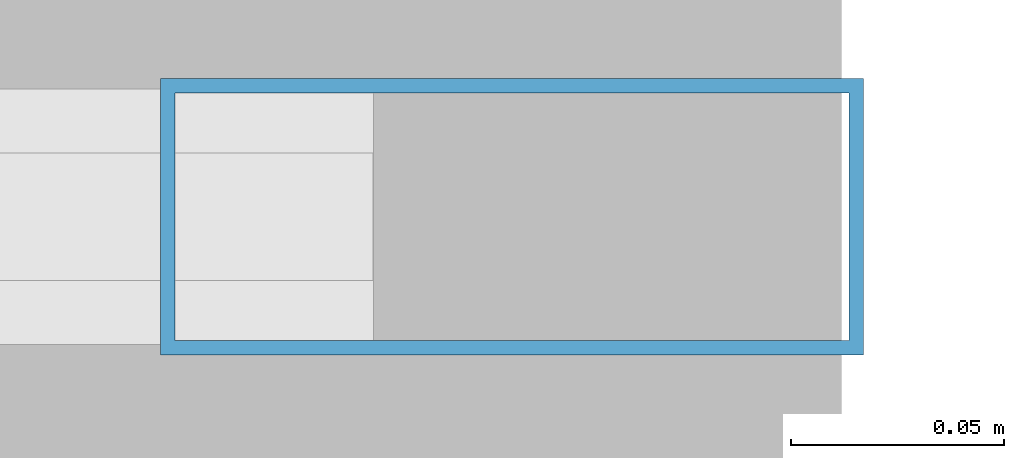
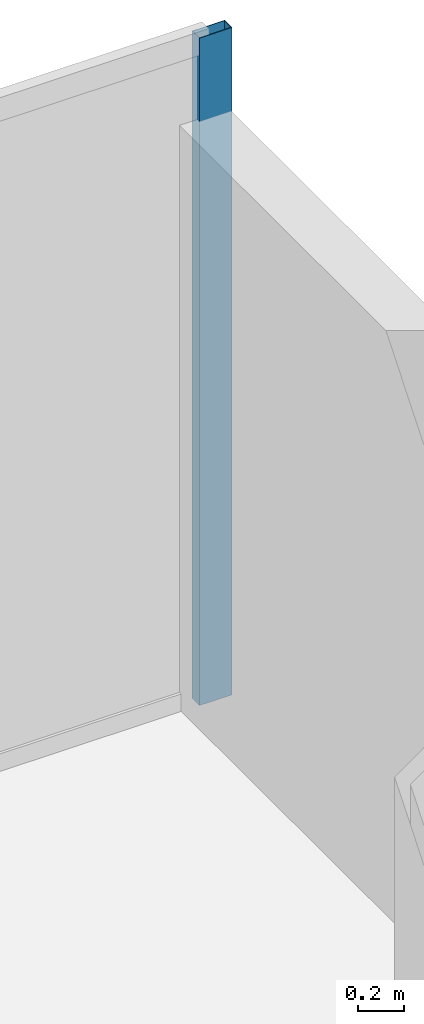
# One storey, part 24 of 32: 1 member, 1 element without a shape of its own.
"""IFC4 building model written with IfcOpenShell, lengths in metres."""

import ifcopenshell
import ifcopenshell.guid

model = None  # the IFC model being written
_history = None  # IfcOwnerHistory: only IFC2X3 demands one
_inside = {}  # id of a spatial element -> (the spatial element, [elements in it])
_under = {}  # id of a project, library or spatial element -> (it, [spatial elements below it])
_declared = {}  # id of a project -> (the project, [libraries it declares])
_typed = {}  # id of a type object -> (the type object, [elements of that type])
_made_of = {}  # id of a material, layer set ... -> (it, [elements and type objects made of it])


def new_model(schema):
    """Start an empty IFC model of exactly this schema.

    Asked for "IFC4X3", IfcOpenShell would pick the latest addendum, in which some entities
    have other attributes; the version numbers below select the first issue.
    IFC2X3 requires an IfcOwnerHistory on every rooted entity: one is made here for all.
    """
    global model, _history
    if schema == "IFC4X3":
        model = ifcopenshell.file(schema_version=(4, 3, 0, 0))
    else:
        model = ifcopenshell.file(schema=schema)
    _inside.clear()
    _under.clear()
    _declared.clear()
    _typed.clear()
    _made_of.clear()
    _history = None
    if model.schema == "IFC2X3":
        org = make("IfcOrganization", Name="unknown")
        user = make(
            "IfcPersonAndOrganization",
            ThePerson=make("IfcPerson", FamilyName="unknown"),
            TheOrganization=org,
        )
        app = make(
            "IfcApplication",
            ApplicationDeveloper=org,
            Version="unknown",
            ApplicationFullName="unknown",
            ApplicationIdentifier="unknown",
        )
        _history = make(
            "IfcOwnerHistory",
            OwningUser=user,
            OwningApplication=app,
            ChangeAction="ADDED",
            CreationDate=0,
        )
    return model


def make(cls, **values):
    """One entity of the class cls with the attributes given. An attribute that is None is left unset."""
    return model.create_entity(
        cls, **{name: value for name, value in values.items() if value is not None}
    )


def rooted(cls, **values):
    """An entity with a GlobalId (a new one), such as an element, a storey or a relation."""
    return make(cls, GlobalId=ifcopenshell.guid.new(), OwnerHistory=_history, **values)


def si_unit(unit_type, name, prefix=None):
    """IfcSIUnit, for example si_unit("LENGTHUNIT", "METRE", prefix="MILLI")."""
    return make("IfcSIUnit", UnitType=unit_type, Prefix=prefix, Name=name)


def assignment(units):
    """IfcUnitAssignment: the units of a project."""
    return None if units is None else make("IfcUnitAssignment", Units=units)


def point(xyz):
    """IfcCartesianPoint."""
    return None if xyz is None else make("IfcCartesianPoint", Coordinates=xyz)


def direction(xyz):
    """IfcDirection."""
    return None if xyz is None else make("IfcDirection", DirectionRatios=xyz)


def frame(location, z_axis=None, x_axis=None):
    """IfcAxis2Placement3D, a coordinate frame: its origin and axes. An axis left out is left unset."""
    return make(
        "IfcAxis2Placement3D",
        Location=point(location),
        Axis=direction(z_axis),
        RefDirection=direction(x_axis),
    )


def frame_2d(location, x_axis=None):
    """IfcAxis2Placement2D, a coordinate frame in the plane: its origin and x axis."""
    return make(
        "IfcAxis2Placement2D", Location=point(location), RefDirection=direction(x_axis)
    )


def origin():
    """The frame at (0, 0, 0) with its axes left unset."""
    return frame((0.0, 0.0, 0.0))


def origin_2d():
    """The frame at (0, 0) in the plane with its x axis left unset."""
    return frame_2d((0.0, 0.0))


def place(relative_to, where):
    """IfcLocalPlacement: puts the frame where relative to a parent placement (None: the world)."""
    return make(
        "IfcLocalPlacement", PlacementRelTo=relative_to, RelativePlacement=where
    )


def context(
    kind, dimensions, precision=None, world=None, true_north=None, identifier=None
):
    """IfcGeometricRepresentationContext, for example the 3D "Model" context."""
    return make(
        "IfcGeometricRepresentationContext",
        ContextIdentifier=identifier,
        ContextType=kind,
        CoordinateSpaceDimension=dimensions,
        Precision=precision,
        WorldCoordinateSystem=world,
        TrueNorth=true_north,
    )


def subcontext(parent, identifier, kind, view, scale=None):
    """IfcGeometricRepresentationSubContext, for example "Body" below "Model"."""
    return make(
        "IfcGeometricRepresentationSubContext",
        ContextIdentifier=identifier,
        ContextType=kind,
        ParentContext=parent,
        TargetScale=scale,
        TargetView=view,
    )


def project(units=None, contexts=None):
    """IfcProject with its units and contexts."""
    return rooted(
        "IfcProject",
        Name="project",
        RepresentationContexts=contexts,
        UnitsInContext=assignment(units),
    )


def spatial(cls, under=None, at=None, **own):
    """A site, building, storey or space (cls), placed at a placement, below another one or the project."""
    s = rooted(cls, ObjectPlacement=at, **own)
    if under is not None:
        _under.setdefault(under.id(), (under, []))[1].append(s)
    return s


def profile(cls, at=None, kind="AREA", **sizes):
    """A parametric profile (cls). Its sizes go by their IFC names, for example OverallWidth=200.0."""
    return make(cls, ProfileType=kind, Position=at, **sizes)


def hollow_rectangle(**sizes):
    """IfcRectangleHollowProfileDef."""
    return profile("IfcRectangleHollowProfileDef", **sizes)


def extrude(swept, where, along, depth):
    """IfcExtrudedAreaSolid: the profile swept, set in the frame where, extruded along a direction by depth."""
    return make(
        "IfcExtrudedAreaSolid",
        SweptArea=swept,
        Position=where,
        ExtrudedDirection=direction(along),
        Depth=depth,
    )


def shape(context_of_items, identifier, shape_type, items):
    """IfcShapeRepresentation: the items that make up one representation, for example the "Body"."""
    return make(
        "IfcShapeRepresentation",
        ContextOfItems=context_of_items,
        RepresentationIdentifier=identifier,
        RepresentationType=shape_type,
        Items=items,
    )


def source(mapping_origin, context_of_items, identifier, shape_type, items):
    """IfcRepresentationMap: a shape defined once, which mapped items show again and again."""
    return make(
        "IfcRepresentationMap",
        MappingOrigin=mapping_origin,
        MappedRepresentation=shape(context_of_items, identifier, shape_type, items),
    )


def transform(
    local_origin,
    x_axis=None,
    y_axis=None,
    z_axis=None,
    scale=None,
    scale2=None,
    scale3=None,
    uniform=True,
):
    """IfcCartesianTransformationOperator3D, or its non-uniform kind. x_axis, y_axis, z_axis: its Axis1, 2, 3."""
    if uniform:
        return make(
            "IfcCartesianTransformationOperator3D",
            Axis1=direction(x_axis),
            Axis2=direction(y_axis),
            LocalOrigin=point(local_origin),
            Scale=scale,
            Axis3=direction(z_axis),
        )
    return make(
        "IfcCartesianTransformationOperator3DnonUniform",
        Axis1=direction(x_axis),
        Axis2=direction(y_axis),
        LocalOrigin=point(local_origin),
        Scale=scale,
        Axis3=direction(z_axis),
        Scale2=scale2,
        Scale3=scale3,
    )


def mapped(mapping_source, mapping_target):
    """IfcMappedItem: shows the shape of a source again, moved by a transform."""
    return make(
        "IfcMappedItem", MappingSource=mapping_source, MappingTarget=mapping_target
    )


def material(Name=None, Category=None):
    """IfcMaterial."""
    return make("IfcMaterial", Name=Name, Category=Category)


def layer(
    of_material, thickness, ventilated=None, Name=None, Category=None, Priority=None
):
    """IfcMaterialLayer: one layer of a wall or slab, of a material (None: an air gap)."""
    return make(
        "IfcMaterialLayer",
        Material=of_material,
        LayerThickness=thickness,
        IsVentilated=ventilated,
        Name=Name,
        Category=Category,
        Priority=Priority,
    )


def layer_set(layers, Name=None):
    """IfcMaterialLayerSet."""
    return make("IfcMaterialLayerSet", MaterialLayers=layers, LayerSetName=Name)


def material_profile(
    of_material, cross_section, Name=None, Category=None, Priority=None
):
    """IfcMaterialProfile: a cross section and its material."""
    return make(
        "IfcMaterialProfile",
        Name=Name,
        Material=of_material,
        Profile=cross_section,
        Priority=Priority,
        Category=Category,
    )


def profile_set(profiles, Name=None, composite=None):
    """IfcMaterialProfileSet."""
    return make(
        "IfcMaterialProfileSet",
        Name=Name,
        MaterialProfiles=profiles,
        CompositeProfile=composite,
    )


def made_of(thing, what):
    """Note that an element or type object is made of a material, layer set ...; save() writes the relation."""
    if what is not None:
        _made_of.setdefault(what.id(), (what, []))[1].append(thing)
    return thing


def type_object(cls, material=None, **own):
    """A type object (cls), such as IfcWallType, which elements share."""
    return made_of(rooted(cls, **own), material)


def type_shapes(of_type, sources):
    """Give a type object the sources (RepresentationMaps) that its elements show as mapped items."""
    of_type.RepresentationMaps = sources


def element(
    cls,
    number,
    at=None,
    inside=None,
    cuts=None,
    type_object=None,
    material=None,
    context=None,
    identifier="Body",
    shape_type=None,
    held_by="IfcProductDefinitionShape",
    body=None,
    shapes=None,
    **own,
):
    """One element of the class cls, such as IfcWall. Its Tag is "e" and its number.

    at: its placement. inside: the storey or other place that contains it. cuts: it is an
    opening in that element (IfcRelVoidsElement). A single representation is given by context,
    identifier, shape_type and body (its items); several are given by shapes. held_by: the class
    of the entity that holds the representations. save() writes the other relations.
    """
    e = rooted(cls, Tag="e%d" % number, ObjectPlacement=at, **own)
    if body is not None:
        shapes = [shape(context, identifier, shape_type, body)]
    if shapes is not None:
        e.Representation = make(held_by, Representations=shapes)
    if inside is not None:
        _inside.setdefault(inside.id(), (inside, []))[1].append(e)
    if cuts is not None:
        rooted(
            "IfcRelVoidsElement", RelatingBuildingElement=cuts, RelatedOpeningElement=e
        )
    if type_object is not None:
        _typed.setdefault(type_object.id(), (type_object, []))[1].append(e)
    return made_of(e, material)


def aggregate(whole, parts):
    """IfcRelAggregates: a whole, such as a stair, and the parts it consists of."""
    return rooted("IfcRelAggregates", RelatingObject=whole, RelatedObjects=parts)


def save(model, path):
    """Write the relations noted so far, then the file.

    IfcRelAggregates (storeys below a building ...), IfcRelContainedInSpatialStructure (elements
    in a storey), IfcRelDefinesByType, IfcRelAssociatesMaterial and IfcRelDeclares: one each for
    every whole, place, type object, material and project.
    """
    for whole, parts in _under.values():
        aggregate(whole, parts)
    for where, things in _inside.values():
        rooted(
            "IfcRelContainedInSpatialStructure",
            RelatedElements=things,
            RelatingStructure=where,
        )
    for kind, things in _typed.values():
        rooted("IfcRelDefinesByType", RelatedObjects=things, RelatingType=kind)
    for what, things in _made_of.values():
        rooted("IfcRelAssociatesMaterial", RelatedObjects=things, RelatingMaterial=what)
    for by, libraries in _declared.values():
        rooted("IfcRelDeclares", RelatingContext=by, RelatedDefinitions=libraries)
    model.write(path)


model = new_model("IFC4")

# Units and contexts
model_context = context("Model", 3, precision=1e-05, world=origin(), true_north=direction((0.0, 1.0)))
body_context = subcontext(model_context, "Body", "Model", "MODEL_VIEW")
ifc_project = project(units=[si_unit("LENGTHUNIT", "METRE"), si_unit("AREAUNIT", "SQUARE_METRE"), si_unit("VOLUMEUNIT", "CUBIC_METRE"), si_unit("PLANEANGLEUNIT", "RADIAN"), si_unit("MASSUNIT", "GRAM", prefix="KILO")], contexts=[model_context])

# Site, building, storey
site_placement = place(None, origin())
site = spatial("IfcSite", under=ifc_project, at=site_placement, CompositionType="ELEMENT")
building_placement = place(site_placement, origin())
building = spatial("IfcBuilding", under=site, at=building_placement, Name="Varnel Quay Broadcast Tower", CompositionType="ELEMENT")
storey_placement = place(building_placement, frame((0.0, 0.0, 164.800048828125)))
storey = spatial("IfcBuildingStorey", under=building, at=storey_placement, Name="L40", CompositionType="ELEMENT", Elevation=164.800048828125)

# Curtain wall, member
ifc_material = material(Name="Anodised Bronze Aluminium 6063-T6", Category="aluminium")
ifc_layer = layer(ifc_material, 0.18994140625, Name="Anodised Bronze Aluminium 6063-T6")
ifc_layer_set = layer_set([ifc_layer], Name="Anodised Bronze Aluminium 6063-T6")
curtain_wall_type = type_object("IfcCurtainWallType", Name="CW_UpperTower", PredefinedType="NOTDEFINED", material=ifc_layer_set)
curtain_wall_placement = place(storey_placement, origin())
curtain_wall = element("IfcCurtainWall", 1, at=curtain_wall_placement, inside=storey, type_object=curtain_wall_type, Name="L40 NE Wing Curtain Wall", PredefinedType="NOTDEFINED")
ifc_material_profile = material_profile(ifc_material, hollow_rectangle(XDim=0.06494140625, YDim=0.1650390625, WallThickness=0.00341796875, at=origin_2d()), Name="ALU65X165X3.5")
ifc_profile_set = profile_set([ifc_material_profile], Name="Anodised Bronze Aluminium 6063-T6")
member_type = type_object("IfcMemberType", Name="Mull_CWS-03", PredefinedType="MULLION", material=ifc_profile_set)
shared_shape = source(origin(), body_context, "Body", "SweptSolid", [
    extrude(hollow_rectangle(XDim=0.06494140625, YDim=0.1650390625, WallThickness=0.00341796875, at=origin_2d()), origin(), (0.0, 0.0, 1.0), 3.550048828125),
])
type_shapes(member_type, [shared_shape])
member_placement = place(storey_placement, frame((57.447509765625, 46.64990234375, 0.0), z_axis=(0.0, 0.0, 1.0), x_axis=(0.0, 1.0, 0.0)))
member = element("IfcMember", 2, at=member_placement, type_object=member_type, Name="CWS-03 mullion 2", PredefinedType="MULLION", context=body_context, shape_type="MappedRepresentation", body=[
    mapped(shared_shape, transform((0.0, 0.0, 0.0), x_axis=(1.0, 0.0, 0.0), y_axis=(0.0, 1.0, 0.0), z_axis=(0.0, 0.0, 1.0), scale=1.0)),
])
aggregate(curtain_wall, [member])

save(model, "model.ifc")
